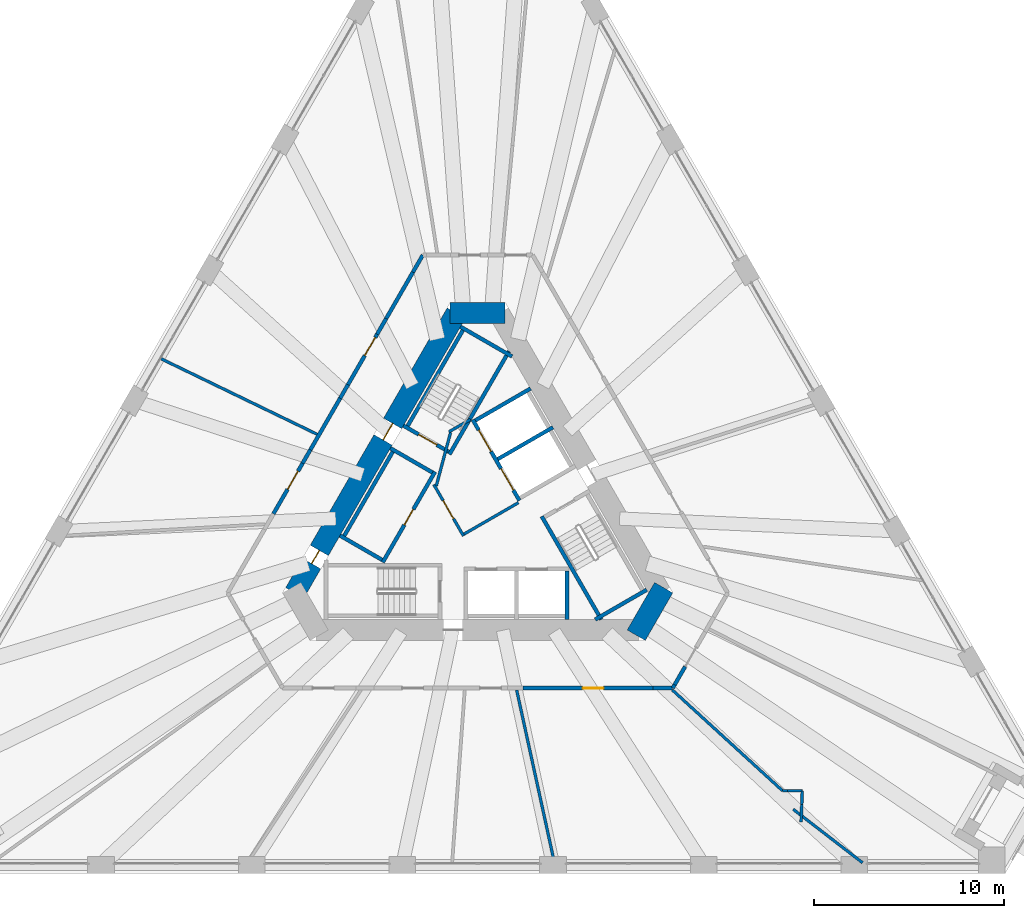
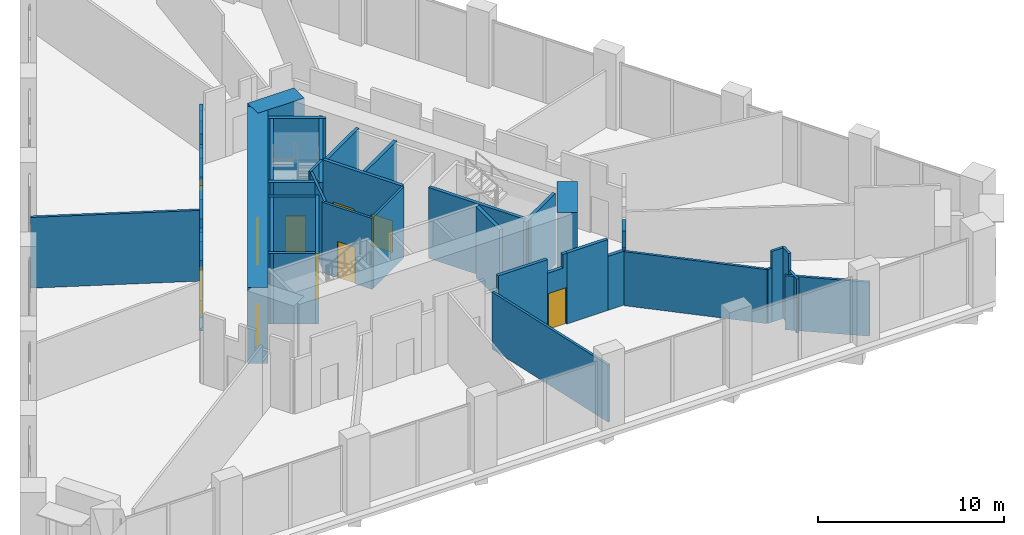
# One storey, part 14 of 20: 43 walls, 10 doors, 10 openings.
"""IFC4 building model written with IfcOpenShell, lengths in metres."""

from ifc_helpers import new_model, si_unit, direction, frame, frame_2d, origin, place, context, subcontext, project, spatial, polyline, rectangle, outline, extrude, material, layer, layer_set, type_object, element, fill, save


model = new_model("IFC4")

# Units and contexts
model_context = context("Model", 3, precision=1e-05, world=origin(), true_north=direction((0.0, 1.0)))
body_context = subcontext(model_context, "Body", "Model", "MODEL_VIEW")
ifc_project = project(units=[si_unit("LENGTHUNIT", "METRE"), si_unit("AREAUNIT", "SQUARE_METRE"), si_unit("VOLUMEUNIT", "CUBIC_METRE"), si_unit("PLANEANGLEUNIT", "RADIAN"), si_unit("MASSUNIT", "GRAM", prefix="KILO")], contexts=[model_context])

# Site, building, storey
site_placement = place(None, origin())
site = spatial("IfcSite", under=ifc_project, at=site_placement, CompositionType="ELEMENT")
building_placement = place(site_placement, origin())
building = spatial("IfcBuilding", under=site, at=building_placement, Name="Tramontana Tower", CompositionType="ELEMENT")
storey_placement = place(building_placement, frame((0.0, 0.0, 20.0)))
storey = spatial("IfcBuildingStorey", under=building, at=storey_placement, Name="L03", CompositionType="ELEMENT", Elevation=20.0)

# Wall
ifc_material_1 = material(Name="Concrete 70 MPa", Category="concrete")
ifc_layer_1 = layer(ifc_material_1, 1.10009765625)
ifc_layer_set_1 = layer_set([ifc_layer_1], Name="Core wall 1100 70 MPa")
wall_type_1 = type_object("IfcWallType", Name="Core wall 1100 70 MPa", PredefinedType="SHEAR", material=ifc_layer_set_1)
wall_1_placement = place(storey_placement, frame((1.443359375, 10.449951171875, 0.0), z_axis=(0.0, 0.0, 1.0), x_axis=(-1.0, 0.0, 0.0)))
element("IfcWall", 1, at=wall_1_placement, inside=storey, type_object=wall_type_1, Name="Core wall C0 L03", PredefinedType="SHEAR", context=body_context, shape_type="SweptSolid", body=[
    extrude(rectangle(XDim=2.88671875, YDim=1.10009765625, at=frame_2d((1.443359375, 0.0))), origin(), (0.0, 0.0, 1.0), 5.0),
])

# Wall, openings, doors
wall_2_placement = place(storey_placement, frame((-1.125732421875, 10.449951171875, 0.0), z_axis=(0.0, 0.0, 1.0), x_axis=(-0.500001757713, -0.866024388966, 0.0)))
wall_2 = element("IfcWall", 2, at=wall_2_placement, inside=storey, type_object=wall_type_1, Name="Core wall C1 L03", PredefinedType="SHEAR", context=body_context, shape_type="SweptSolid", body=[
    extrude(rectangle(XDim=16.97412109375, YDim=1.10009765625, at=frame_2d((8.487060546875, 0.0))), origin(), (0.0, 0.0, 1.0), 5.0),
])
opening_1_placement = place(wall_2_placement, frame((6.692138671875, 0.0, 0.0)))
opening_1 = element("IfcOpeningElement", 3, at=opening_1_placement, cuts=wall_2, Name="Opening RG1", PredefinedType="OPENING", context=body_context, shape_type="SweptSolid", body=[
    extrude(rectangle(XDim=1.0, YDim=2.39990234375, at=frame_2d((0.5, 1.199951171875))), frame((0.0, 0.56005859375, 0.0), z_axis=(0.0, -1.0, 0.0), x_axis=(1.0, 0.0, 0.0)), (0.0, 0.0, 1.0), 1.1201171875),
])
opening_2_placement = place(wall_2_placement, frame((14.397216796875, 0.0, 0.0)))
opening_2 = element("IfcOpeningElement", 4, at=opening_2_placement, cuts=wall_2, Name="Opening PD1", PredefinedType="OPENING", context=body_context, shape_type="SweptSolid", body=[
    extrude(rectangle(XDim=0.800048828125, YDim=2.10009765625, at=frame_2d((0.39990234375, 1.050048828125))), frame((0.0, 0.56005859375, 0.0), z_axis=(0.0, -1.0, 0.0), x_axis=(1.0, 0.0, 0.0)), (0.0, 0.0, 1.0), 1.1201171875),
])
ifc_material_2 = material(Name="Painted steel", Category="steel")
door_type_1 = type_object("IfcDoorType", Name="CUPBOARD DOOR 800", OperationType="SINGLE_SWING_LEFT", PredefinedType="DOOR", material=ifc_material_2)
door_1_placement = place(opening_2_placement, origin())
door_1 = element("IfcDoor", 5, at=door_1_placement, inside=storey, type_object=door_type_1, Name="Door PD1", OperationType="SINGLE_SWING_RIGHT", OverallHeight=2.10009765625, OverallWidth=0.800048828125, PredefinedType="DOOR", context=body_context, shape_type="SweptSolid", body=[
    extrude(rectangle(XDim=0.800048828125, YDim=2.10009765625, at=frame_2d((0.39990234375, 1.050048828125))), frame((0.0, 0.02490234375, 0.0), z_axis=(0.0, -1.0, 0.0), x_axis=(1.0, 0.0, 0.0)), (0.0, 0.0, 1.0), 0.050048828125),
])
fill(opening_2, door_1)
ifc_material_3 = material(Name="Painted steel", Category="steel")
door_type_2 = type_object("IfcDoorType", Name="RING DOOR 1000", OperationType="SINGLE_SWING_LEFT", PredefinedType="DOOR", material=ifc_material_3)
door_2_placement = place(opening_1_placement, origin())
door_2 = element("IfcDoor", 6, at=door_2_placement, inside=storey, type_object=door_type_2, Name="Door RG1", OperationType="SINGLE_SWING_LEFT", OverallHeight=2.39990234375, OverallWidth=1.0, PredefinedType="DOOR", context=body_context, shape_type="SweptSolid", body=[
    extrude(rectangle(XDim=1.0, YDim=2.39990234375, at=frame_2d((0.5, 1.199951171875))), frame((0.0, 0.02490234375, 0.0), z_axis=(0.0, -1.0, 0.0), x_axis=(1.0, 0.0, 0.0)), (0.0, 0.0, 1.0), 0.050048828125),
])
fill(opening_1, door_2)

# Walls
wall_3_placement = place(storey_placement, frame((8.328369140625, -6.47509765625, 0.0), z_axis=(0.0, 0.0, 1.0), x_axis=(0.499995765644, 0.866027848477, 0.0)))
element("IfcWall", 7, at=wall_3_placement, inside=storey, type_object=wall_type_1, Name="Core wall C4 L03", PredefinedType="SHEAR", context=body_context, shape_type="SweptSolid", body=[
    extrude(rectangle(XDim=2.88671875, YDim=1.10009765625, at=frame_2d((1.443359375, 0.0))), origin(), (0.0, 0.0, 1.0), 5.0),
])
ifc_material_4 = material(Name="Blockwork", Category="masonry")
ifc_layer_2 = layer(ifc_material_4, 0.199951171875)
ifc_layer_set_2 = layer_set([ifc_layer_2], Name="ENTRY WALL 200")
wall_type_2 = type_object("IfcWallType", Name="ENTRY WALL 200", PredefinedType="SOLIDWALL", material=ifc_layer_set_2)
wall_4_placement = place(storey_placement, frame((10.897216796875, -8.12548828125, 0.0), z_axis=(0.0, 0.0, 1.0), x_axis=(-0.499978356969, -0.866037899034, 0.0)))
element("IfcWall", 8, at=wall_4_placement, inside=storey, type_object=wall_type_2, Name="Wall ew1-5", PredefinedType="SOLIDWALL", context=body_context, shape_type="SweptSolid", body=[
    extrude(rectangle(XDim=1.10107421875, YDim=0.199951171875, at=frame_2d((0.550537109375, 0.0))), origin(), (0.0, 0.0, 1.0), 4.64990234375),
])
wall_5_placement = place(storey_placement, frame((10.3466796875, -9.0791015625, 0.0), z_axis=(0.0, 0.0, 1.0), x_axis=(-0.499865263774, -0.866103179807, 0.0)))
element("IfcWall", 9, at=wall_5_placement, inside=storey, type_object=wall_type_2, Name="Wall ew1-6", PredefinedType="SOLIDWALL", context=body_context, shape_type="SweptSolid", body=[
    extrude(rectangle(XDim=0.197265625, YDim=0.199951171875, at=frame_2d((0.0986328125, 0.0))), origin(), (0.0, 0.0, 1.0), 3.550048828125),
])
wall_6_placement = place(storey_placement, frame((10.248046875, -9.25, 0.0), z_axis=(0.0, 0.0, 1.0), x_axis=(-1.0, 0.0, 0.0)))
element("IfcWall", 10, at=wall_6_placement, inside=storey, type_object=wall_type_2, Name="Wall ew2-0", PredefinedType="SOLIDWALL", context=body_context, shape_type="SweptSolid", body=[
    extrude(rectangle(XDim=1.035400390625, YDim=0.199951171875, at=frame_2d((0.517578125, 0.0))), origin(), (0.0, 0.0, 1.0), 3.550048828125),
])
wall_7_placement = place(storey_placement, frame((9.212646484375, -9.25, 0.0), z_axis=(0.0, 0.0, 1.0), x_axis=(-1.0, 0.0, 0.0)))
element("IfcWall", 11, at=wall_7_placement, inside=storey, type_object=wall_type_2, Name="Wall ew2-1", PredefinedType="SOLIDWALL", context=body_context, shape_type="SweptSolid", body=[
    extrude(rectangle(XDim=2.546875, YDim=0.199951171875, at=frame_2d((1.2734375, 0.0))), origin(), (0.0, 0.0, 1.0), 4.64990234375),
])

# Wall, opening, door
wall_8_placement = place(storey_placement, frame((6.665771484375, -9.25, 0.0), z_axis=(0.0, 0.0, 1.0), x_axis=(-1.0, 0.0, 0.0)))
wall_8 = element("IfcWall", 12, at=wall_8_placement, inside=storey, type_object=wall_type_2, Name="Wall ew2-2", PredefinedType="SOLIDWALL", context=body_context, shape_type="SweptSolid", body=[
    extrude(outline(polyline([(0.0, 0.0), (1.21826171875, 0.0), (1.21826171875, 3.75), (0.268310546875, 3.75), (0.268310546875, 4.64990234375), (0.0, 4.64990234375), (0.0, 0.0)])), frame((0.0, 0.10009765625, 0.0), z_axis=(0.0, -1.0, 0.0), x_axis=(1.0, 0.0, 0.0)), (0.0, 0.0, 1.0), 0.199951171875),
])
opening_3_placement = place(wall_8_placement, frame((0.050048828125, 0.0, 0.0)))
opening_3 = element("IfcOpeningElement", 13, at=opening_3_placement, cuts=wall_8, Name="Opening L03-08", PredefinedType="OPENING", context=body_context, shape_type="SweptSolid", body=[
    extrude(rectangle(XDim=1.10009765625, YDim=2.39990234375, at=frame_2d((0.550048828125, 1.199951171875))), frame((0.0, 0.10986328125, 0.0), z_axis=(0.0, -1.0, 0.0), x_axis=(1.0, 0.0, 0.0)), (0.0, 0.0, 1.0), 0.219970703125),
])
ifc_material_5 = material(Name="Painted timber", Category="wood")
door_type_3 = type_object("IfcDoorType", Name="DOOR ENTRY 1100", OperationType="SINGLE_SWING_LEFT", PredefinedType="DOOR", material=ifc_material_5)
door_3_placement = place(opening_3_placement, origin())
door_3 = element("IfcDoor", 14, at=door_3_placement, inside=storey, type_object=door_type_3, Name="Door L03-08", OperationType="SINGLE_SWING_RIGHT", OverallHeight=2.39990234375, OverallWidth=1.10009765625, PredefinedType="DOOR", context=body_context, shape_type="SweptSolid", body=[
    extrude(rectangle(XDim=1.10009765625, YDim=2.39990234375, at=frame_2d((0.550048828125, 1.199951171875))), frame((0.0, 0.02490234375, 0.0), z_axis=(0.0, -1.0, 0.0), x_axis=(1.0, 0.0, 0.0)), (0.0, 0.0, 1.0), 0.050048828125),
])
fill(opening_3, door_3)

# Wall
wall_9_placement = place(storey_placement, frame((5.447509765625, -9.25, 0.0), z_axis=(0.0, 0.0, 1.0), x_axis=(-1.0, 0.0, 0.0)))
element("IfcWall", 15, at=wall_9_placement, inside=storey, type_object=wall_type_2, Name="Wall ew2-3", PredefinedType="SOLIDWALL", context=body_context, shape_type="SweptSolid", body=[
    extrude(rectangle(XDim=3.064453125, YDim=0.199951171875, at=frame_2d((1.5322265625, 0.0))), origin(), (0.0, 0.0, 1.0), 4.64990234375),
])

# Wall, opening, door
wall_10_placement = place(storey_placement, frame((-10.734375, -0.0927734375, 0.0), z_axis=(0.0, 0.0, 1.0), x_axis=(0.499952348839, 0.866052913447, 0.0)))
wall_10 = element("IfcWall", 16, at=wall_10_placement, inside=storey, type_object=wall_type_2, Name="Wall ew4-3", PredefinedType="SOLIDWALL", context=body_context, shape_type="SweptSolid", body=[
    extrude(rectangle(XDim=3.064208984375, YDim=0.199951171875, at=frame_2d((1.5322265625, 0.0))), origin(), (0.0, 0.0, 1.0), 4.64990234375),
])
opening_4_placement = place(wall_10_placement, frame((1.489013671875, 0.0, 0.0)))
opening_4 = element("IfcOpeningElement", 17, at=opening_4_placement, cuts=wall_10, Name="Opening L03-03", PredefinedType="OPENING", context=body_context, shape_type="SweptSolid", body=[
    extrude(rectangle(XDim=1.10009765625, YDim=2.39990234375, at=frame_2d((0.550048828125, 1.199951171875))), frame((0.0, 0.10986328125, 0.0), z_axis=(0.0, -1.0, 0.0), x_axis=(1.0, 0.0, 0.0)), (0.0, 0.0, 1.0), 0.219970703125),
])
door_4_placement = place(opening_4_placement, origin())
door_4 = element("IfcDoor", 18, at=door_4_placement, inside=storey, type_object=door_type_3, Name="Door L03-03", OperationType="SINGLE_SWING_LEFT", OverallHeight=2.39990234375, OverallWidth=1.10009765625, PredefinedType="DOOR", context=body_context, shape_type="SweptSolid", body=[
    extrude(rectangle(XDim=1.10009765625, YDim=2.39990234375, at=frame_2d((0.550048828125, 1.199951171875))), frame((0.0, 0.02490234375, 0.0), z_axis=(0.0, -1.0, 0.0), x_axis=(1.0, 0.0, 0.0)), (0.0, 0.0, 1.0), 0.050048828125),
])
fill(opening_4, door_4)

# Walls
wall_11_placement = place(storey_placement, frame((-9.202392578125, 2.56103515625, 0.0), z_axis=(0.0, 0.0, 1.0), x_axis=(0.500118501653, 0.865956976012, 0.0)))
element("IfcWall", 19, at=wall_11_placement, inside=storey, type_object=wall_type_2, Name="Wall ew4-4", PredefinedType="SOLIDWALL", context=body_context, shape_type="SweptSolid", body=[
    extrude(rectangle(XDim=0.818115234375, YDim=0.199951171875, at=frame_2d((0.4091796875, 0.0))), origin(), (0.0, 0.0, 1.0), 3.75),
])
wall_12_placement = place(storey_placement, frame((-8.793212890625, 3.26953125, 0.0), z_axis=(0.0, 0.0, 1.0), x_axis=(0.499947505232, 0.866055709532, 0.0)))
element("IfcWall", 20, at=wall_12_placement, inside=storey, type_object=wall_type_2, Name="Wall ew4-5", PredefinedType="SOLIDWALL", context=body_context, shape_type="SweptSolid", body=[
    extrude(rectangle(XDim=3.130126953125, YDim=0.199951171875, at=frame_2d((1.56494140625, 0.0))), origin(), (0.0, 0.0, 1.0), 4.64990234375),
])
wall_13_placement = place(storey_placement, frame((-7.228271484375, 5.98046875, 0.0), z_axis=(0.0, 0.0, 1.0), x_axis=(0.500118501653, 0.865956976012, 0.0)))
element("IfcWall", 21, at=wall_13_placement, inside=storey, type_object=wall_type_2, Name="Wall ew4-6", PredefinedType="SOLIDWALL", context=body_context, shape_type="SweptSolid", body=[
    extrude(rectangle(XDim=0.818115234375, YDim=0.199951171875, at=frame_2d((0.4091796875, 0.0))), origin(), (0.0, 0.0, 1.0), 3.75),
])

# Wall, opening, door
wall_14_placement = place(storey_placement, frame((-6.819091796875, 6.68896484375, 0.0), z_axis=(0.0, 0.0, 1.0), x_axis=(0.499952348839, 0.866052913447, 0.0)))
wall_14 = element("IfcWall", 22, at=wall_14_placement, inside=storey, type_object=wall_type_2, Name="Wall ew4-7", PredefinedType="SOLIDWALL", context=body_context, shape_type="SweptSolid", body=[
    extrude(rectangle(XDim=3.064208984375, YDim=0.199951171875, at=frame_2d((1.5322265625, 0.0))), origin(), (0.0, 0.0, 1.0), 4.64990234375),
])
opening_5_placement = place(wall_14_placement, frame((1.76904296875, 0.0, 0.0)))
opening_5 = element("IfcOpeningElement", 23, at=opening_5_placement, cuts=wall_14, Name="Opening L03-02", PredefinedType="OPENING", context=body_context, shape_type="SweptSolid", body=[
    extrude(rectangle(XDim=1.10009765625, YDim=2.39990234375, at=frame_2d((0.550048828125, 1.199951171875))), frame((0.0, 0.10986328125, 0.0), z_axis=(0.0, -1.0, 0.0), x_axis=(1.0, 0.0, 0.0)), (0.0, 0.0, 1.0), 0.219970703125),
])
door_5_placement = place(opening_5_placement, origin())
door_5 = element("IfcDoor", 24, at=door_5_placement, inside=storey, type_object=door_type_3, Name="Door L03-02", OperationType="SINGLE_SWING_RIGHT", OverallHeight=2.39990234375, OverallWidth=1.10009765625, PredefinedType="DOOR", context=body_context, shape_type="SweptSolid", body=[
    extrude(rectangle(XDim=1.10009765625, YDim=2.39990234375, at=frame_2d((0.550048828125, 1.199951171875))), frame((0.0, 0.02490234375, 0.0), z_axis=(0.0, -1.0, 0.0), x_axis=(1.0, 0.0, 0.0)), (0.0, 0.0, 1.0), 0.050048828125),
])
fill(opening_5, door_5)

# Walls
wall_15_placement = place(storey_placement, frame((-5.287109375, 9.3427734375, 0.0), z_axis=(0.0, 0.0, 1.0), x_axis=(0.500174821557, 0.865924446982, 0.0)))
element("IfcWall", 25, at=wall_15_placement, inside=storey, type_object=wall_type_2, Name="Wall ew4-8", PredefinedType="SOLIDWALL", context=body_context, shape_type="SweptSolid", body=[
    extrude(rectangle(XDim=0.949951171875, YDim=0.199951171875, at=frame_2d((0.47509765625, 0.0))), origin(), (0.0, 0.0, 1.0), 3.75),
])
wall_16_placement = place(storey_placement, frame((-4.81201171875, 10.165283203125, 0.0), z_axis=(0.0, 0.0, 1.0), x_axis=(0.500000186108, 0.866025296335, 0.0)))
element("IfcWall", 26, at=wall_16_placement, inside=storey, type_object=wall_type_2, Name="Wall ew4-9", PredefinedType="SOLIDWALL", context=body_context, shape_type="SweptSolid", body=[
    extrude(rectangle(XDim=2.8154296875, YDim=0.199951171875, at=frame_2d((1.40771484375, 0.0))), origin(), (0.0, 0.0, 1.0), 4.64990234375),
])
wall_17_placement = place(storey_placement, frame((-3.404296875, 12.603515625, 0.0), z_axis=(0.0, 0.0, 1.0), x_axis=(0.499994660107, 0.866028486751, 0.0)))
element("IfcWall", 27, at=wall_17_placement, inside=storey, type_object=wall_type_2, Name="Wall ew4-10", PredefinedType="SOLIDWALL", context=body_context, shape_type="SweptSolid", body=[
    extrude(rectangle(XDim=1.03515625, YDim=0.199951171875, at=frame_2d((0.517578125, 0.0))), origin(), (0.0, 0.0, 1.0), 3.550048828125),
])

# Wall, opening, door
ifc_material_6 = material(Name="Gypsum board partition")
ifc_layer_3 = layer(ifc_material_6, 0.14990234375)
ifc_layer_set_3 = layer_set([ifc_layer_3], Name="PARTITION 150")
wall_type_3 = type_object("IfcWallType", Name="PARTITION 150", PredefinedType="PARTITIONING", material=ifc_layer_set_3)
wall_18_placement = place(storey_placement, frame((-0.744140625, -1.260986328125, 0.0), z_axis=(0.0, 0.0, 1.0), x_axis=(-0.500004234368, 0.866022959057, 0.0)))
wall_18 = element("IfcWall", 28, at=wall_18_placement, inside=storey, type_object=wall_type_3, Name="Wall ff-front", PredefinedType="PARTITIONING", context=body_context, shape_type="SweptSolid", body=[
    extrude(rectangle(XDim=3.125, YDim=0.14990234375, at=frame_2d((1.5625, 0.0))), origin(), (0.0, 0.0, 1.0), 4.64990234375),
])
opening_6_placement = place(wall_18_placement, frame((1.050048828125, 0.0, 0.0)))
opening_6 = element("IfcOpeningElement", 29, at=opening_6_placement, cuts=wall_18, Name="Opening FD1", PredefinedType="OPENING", context=body_context, shape_type="SweptSolid", body=[
    extrude(rectangle(XDim=1.10009765625, YDim=2.39990234375, at=frame_2d((0.550048828125, 1.199951171875))), frame((0.0, 0.0849609375, 0.0), z_axis=(0.0, -1.0, 0.0), x_axis=(1.0, 0.0, 0.0)), (0.0, 0.0, 1.0), 0.169921875),
])
door_6_placement = place(opening_6_placement, origin())
door_6 = element("IfcDoor", 30, at=door_6_placement, inside=storey, type_object=door_type_3, Name="Door FD1", OperationType="SINGLE_SWING_RIGHT", OverallHeight=2.39990234375, OverallWidth=1.10009765625, PredefinedType="DOOR", context=body_context, shape_type="SweptSolid", body=[
    extrude(rectangle(XDim=1.10009765625, YDim=2.39990234375, at=frame_2d((0.550048828125, 1.199951171875))), frame((0.0, 0.02490234375, 0.0), z_axis=(0.0, -1.0, 0.0), x_axis=(1.0, 0.0, 0.0)), (0.0, 0.0, 1.0), 0.050048828125),
])
fill(opening_6, door_6)

# Walls
wall_19_placement = place(storey_placement, frame((-0.716796875, -1.15869140625, 0.0), z_axis=(0.0, 0.0, 1.0), x_axis=(0.866008176907, 0.50002983664, 0.0)))
element("IfcWall", 31, at=wall_19_placement, inside=storey, type_object=wall_type_3, Name="Wall ff-end0", PredefinedType="PARTITIONING", context=body_context, shape_type="SweptSolid", body=[
    extrude(rectangle(XDim=3.300048828125, YDim=0.14990234375, at=frame_2d((1.64990234375, 0.0))), origin(), (0.0, 0.0, 1.0), 4.64990234375),
])
wall_20_placement = place(storey_placement, frame((-2.177978515625, 1.372314453125, 0.0), z_axis=(0.0, 0.0, 1.0), x_axis=(0.258808958833, 0.96592852884, 0.0)))
element("IfcWall", 32, at=wall_20_placement, inside=storey, type_object=wall_type_3, Name="Wall ff-diag", PredefinedType="PARTITIONING", context=body_context, shape_type="SweptSolid", body=[
    extrude(rectangle(XDim=2.902587890625, YDim=0.14990234375, at=frame_2d((1.451171875, 0.0))), origin(), (0.0, 0.0, 1.0), 4.64990234375),
])
wall_21_placement = place(storey_placement, frame((-1.509765625, 4.21484375, 0.0), z_axis=(0.0, 0.0, 1.0), x_axis=(0.866085525409, 0.49989585183, 0.0)))
element("IfcWall", 33, at=wall_21_placement, inside=storey, type_object=wall_type_3, Name="Wall ff-end1", PredefinedType="PARTITIONING", context=body_context, shape_type="SweptSolid", body=[
    extrude(rectangle(XDim=1.300048828125, YDim=0.14990234375, at=frame_2d((0.64990234375, 0.0))), origin(), (0.0, 0.0, 1.0), 4.64990234375),
])
wall_22_placement = place(storey_placement, frame((-8.438232421875, 4.084716796875, 0.0), z_axis=(0.0, 0.0, 1.0), x_axis=(-0.900092423944, 0.435699011197, 0.0)))
element("IfcWall", 34, at=wall_22_placement, inside=storey, type_object=wall_type_3, Name="Wall fw-pw02", PredefinedType="PARTITIONING", context=body_context, shape_type="SweptSolid", body=[
    extrude(rectangle(XDim=9.10400390625, YDim=0.14990234375, at=frame_2d((4.552001953125, 0.0))), origin(), (0.0, 0.0, 1.0), 4.64990234375),
])
wall_23_placement = place(storey_placement, frame((2.045166015625, -9.35009765625, 0.0), z_axis=(0.0, 0.0, 1.0), x_axis=(0.213683561591, -0.976902930442, 0.0)))
element("IfcWall", 35, at=wall_23_placement, inside=storey, type_object=wall_type_3, Name="Wall fw-pw06-0", PredefinedType="PARTITIONING", context=body_context, shape_type="SweptSolid", body=[
    extrude(rectangle(XDim=9.29443359375, YDim=0.14990234375, at=frame_2d((4.647216796875, 0.0))), origin(), (0.0, 0.0, 1.0), 3.75),
])
wall_24_placement = place(storey_placement, frame((10.2255859375, -9.35009765625, 0.0), z_axis=(0.0, 0.0, 1.0), x_axis=(0.738001386372, -0.674799195104, 0.0)))
element("IfcWall", 36, at=wall_24_placement, inside=storey, type_object=wall_type_3, Name="Wall fw-pw10-0", PredefinedType="PARTITIONING", context=body_context, shape_type="SweptSolid", body=[
    extrude(rectangle(XDim=7.853271484375, YDim=0.14990234375, at=frame_2d((3.9267578125, 0.0))), origin(), (0.0, 0.0, 1.0), 3.550048828125),
])
wall_25_placement = place(storey_placement, frame((16.022705078125, -14.64990234375, 0.0), z_axis=(0.0, 0.0, 1.0), x_axis=(1.0, 0.0, 0.0)))
element("IfcWall", 37, at=wall_25_placement, inside=storey, type_object=wall_type_3, Name="Wall fw-pw13-0", PredefinedType="PARTITIONING", context=body_context, shape_type="SweptSolid", body=[
    extrude(rectangle(XDim=0.250244140625, YDim=0.14990234375, at=frame_2d((0.125, 0.0))), origin(), (0.0, 0.0, 1.0), 3.550048828125),
])
wall_26_placement = place(storey_placement, frame((16.27294921875, -14.64990234375, 0.0), z_axis=(0.0, 0.0, 1.0), x_axis=(1.0, 0.0, 0.0)))
element("IfcWall", 38, at=wall_26_placement, inside=storey, type_object=wall_type_3, Name="Wall fw-pw13-1", PredefinedType="PARTITIONING", context=body_context, shape_type="SweptSolid", body=[
    extrude(rectangle(XDim=0.782470703125, YDim=0.14990234375, at=frame_2d((0.39111328125, 0.0))), origin(), (0.0, 0.0, 1.0), 4.64990234375),
])
wall_27_placement = place(storey_placement, frame((16.577392578125, -15.6201171875, 0.0), z_axis=(0.0, 0.0, 1.0), x_axis=(0.79203798149, -0.610471814155, 0.0)))
element("IfcWall", 39, at=wall_27_placement, inside=storey, type_object=wall_type_3, Name="Wall fw-pw14-0", PredefinedType="PARTITIONING", context=body_context, shape_type="SweptSolid", body=[
    extrude(rectangle(XDim=4.602783203125, YDim=0.14990234375, at=frame_2d((2.30126953125, 0.0))), origin(), (0.0, 0.0, 1.0), 3.550048828125),
])
wall_28_placement = place(storey_placement, frame((17.0556640625, -14.650146484375, 0.0), z_axis=(0.0, 0.0, 1.0), x_axis=(-0.038605211655, -0.999254540962, 0.0)))
element("IfcWall", 40, at=wall_28_placement, inside=storey, type_object=wall_type_3, Name="Wall fw-pw15-0", PredefinedType="PARTITIONING", context=body_context, shape_type="SweptSolid", body=[
    extrude(rectangle(XDim=0.708251953125, YDim=0.14990234375, at=frame_2d((0.35400390625, 0.0))), origin(), (0.0, 0.0, 1.0), 4.64990234375),
])
wall_29_placement = place(storey_placement, frame((17.0283203125, -15.35791015625, 0.0), z_axis=(0.0, 0.0, 1.0), x_axis=(-0.038361998043, -0.999263907637, 0.0)))
element("IfcWall", 41, at=wall_29_placement, inside=storey, type_object=wall_type_3, Name="Wall fw-pw15-1", PredefinedType="PARTITIONING", context=body_context, shape_type="SweptSolid", body=[
    extrude(rectangle(XDim=0.9228515625, YDim=0.14990234375, at=frame_2d((0.46142578125, 0.0))), origin(), (0.0, 0.0, 1.0), 3.550048828125),
])
ifc_material_7 = material(Name="Concrete 70 MPa", Category="concrete")
ifc_layer_4 = layer(ifc_material_7, 0.199951171875)
ifc_layer_set_4 = layer_set([ifc_layer_4], Name="Concrete 70 MPa, 200 mm")
wall_type_4 = type_object("IfcWallType", Name="RC SHAFT BACK WALL 200", PredefinedType="SOLIDWALL", material=ifc_layer_set_4)
wall_30_placement = place(storey_placement, frame((-0.679931640625, 9.722412109375, 0.0), z_axis=(0.0, 0.0, 1.0), x_axis=(-0.49998037582, -0.866036733513, 0.0)))
element("IfcWall", 42, at=wall_30_placement, inside=storey, type_object=wall_type_4, Name="Wall st1-back", PredefinedType="SOLIDWALL", context=body_context, shape_type="SweptSolid", body=[
    extrude(rectangle(XDim=6.199951171875, YDim=0.199951171875, at=frame_2d((3.10009765625, 0.0))), origin(), (0.0, 0.0, 1.0), 4.64990234375),
])
wall_31_placement = place(storey_placement, frame((-4.36474609375, 3.33984375, 0.0), z_axis=(0.0, 0.0, 1.0), x_axis=(-0.499996545922, -0.866027397988, 0.0)))
element("IfcWall", 43, at=wall_31_placement, inside=storey, type_object=wall_type_4, Name="Wall row0-back", PredefinedType="SOLIDWALL", context=body_context, shape_type="SweptSolid", body=[
    extrude(rectangle(XDim=5.5, YDim=0.199951171875, at=frame_2d((2.75, 0.0))), origin(), (0.0, 0.0, 1.0), 4.64990234375),
])
ifc_material_8 = material(Name="Concrete 70 MPa", Category="concrete")
ifc_layer_5 = layer(ifc_material_8, 0.199951171875)
ifc_layer_set_5 = layer_set([ifc_layer_5], Name="Concrete 70 MPa, 200 mm")
wall_type_5 = type_object("IfcWallType", Name="RC STAIR AND SHAFT WALL 200", PredefinedType="SOLIDWALL", material=ifc_layer_set_5)
wall_32_placement = place(storey_placement, frame((1.6455078125, 8.449951171875, 0.0), z_axis=(0.0, 0.0, 1.0), x_axis=(-0.500006002103, -0.866021938441, 0.0)))
element("IfcWall", 44, at=wall_32_placement, inside=storey, type_object=wall_type_5, Name="Wall st1-front", PredefinedType="SOLIDWALL", context=body_context, shape_type="SweptSolid", body=[
    extrude(rectangle(XDim=6.2607421875, YDim=0.199951171875, at=frame_2d((3.13037109375, 0.0))), origin(), (0.0, 0.0, 1.0), 4.64990234375),
])
wall_33_placement = place(storey_placement, frame((1.80615234375, 8.171875, 0.0), z_axis=(0.0, 0.0, 1.0), x_axis=(-0.866054327916, 0.499949898588, 0.0)))
element("IfcWall", 45, at=wall_33_placement, inside=storey, type_object=wall_type_5, Name="Wall st1-far", PredefinedType="SOLIDWALL", context=body_context, shape_type="SweptSolid", body=[
    extrude(rectangle(XDim=3.128173828125, YDim=0.199951171875, at=frame_2d((1.56396484375, 0.0))), origin(), (0.0, 0.0, 1.0), 4.64990234375),
])

# Wall, opening, door
wall_34_placement = place(storey_placement, frame((-1.521484375, 3.164794921875, 0.0), z_axis=(0.0, 0.0, 1.0), x_axis=(-0.866027397988, 0.499996545922, 0.0)))
wall_34 = element("IfcWall", 46, at=wall_34_placement, inside=storey, type_object=wall_type_5, Name="Wall st1-near", PredefinedType="SOLIDWALL", context=body_context, shape_type="SweptSolid", body=[
    extrude(rectangle(XDim=2.75, YDim=0.199951171875, at=frame_2d((1.375, 0.0))), origin(), (0.0, 0.0, 1.0), 4.64990234375),
])
opening_7_placement = place(wall_34_placement, frame((0.72509765625, 0.0, 0.0)))
opening_7 = element("IfcOpeningElement", 47, at=opening_7_placement, cuts=wall_34, Name="Opening SD1", PredefinedType="OPENING", context=body_context, shape_type="SweptSolid", body=[
    extrude(rectangle(XDim=1.10009765625, YDim=2.39990234375, at=frame_2d((0.550048828125, 1.199951171875))), frame((0.0, 0.10986328125, 0.0), z_axis=(0.0, -1.0, 0.0), x_axis=(1.0, 0.0, 0.0)), (0.0, 0.0, 1.0), 0.219970703125),
])
ifc_material_9 = material(Name="Painted steel", Category="steel")
door_type_4 = type_object("IfcDoorType", Name="STAIR DOOR 1100", OperationType="SINGLE_SWING_LEFT", PredefinedType="DOOR", material=ifc_material_9)
door_7_placement = place(opening_7_placement, origin())
door_7 = element("IfcDoor", 48, at=door_7_placement, inside=storey, type_object=door_type_4, Name="Door SD1", OperationType="SINGLE_SWING_RIGHT", OverallHeight=2.39990234375, OverallWidth=1.10009765625, PredefinedType="DOOR", context=body_context, shape_type="SweptSolid", body=[
    extrude(rectangle(XDim=1.10009765625, YDim=2.39990234375, at=frame_2d((0.550048828125, 1.199951171875))), frame((0.0, 0.02490234375, 0.0), z_axis=(0.0, -1.0, 0.0), x_axis=(1.0, 0.0, 0.0)), (0.0, 0.0, 1.0), 0.050048828125),
])
fill(opening_7, door_7)

# Walls
wall_35_placement = place(storey_placement, frame((6.4951171875, -5.64990234375, 0.0), z_axis=(0.0, 0.0, 1.0), x_axis=(-0.499976754523, 0.866038824151, 0.0)))
element("IfcWall", 49, at=wall_35_placement, inside=storey, type_object=wall_type_5, Name="Wall st3-front", PredefinedType="SOLIDWALL", context=body_context, shape_type="SweptSolid", body=[
    extrude(rectangle(XDim=6.260498046875, YDim=0.199951171875, at=frame_2d((3.13037109375, 0.0))), origin(), (0.0, 0.0, 1.0), 4.64990234375),
])
wall_36_placement = place(storey_placement, frame((6.173828125, -5.64990234375, 0.0), z_axis=(0.0, 0.0, 1.0), x_axis=(0.866054327916, 0.499949898588, 0.0)))
element("IfcWall", 50, at=wall_36_placement, inside=storey, type_object=wall_type_5, Name="Wall st3-far", PredefinedType="SOLIDWALL", context=body_context, shape_type="SweptSolid", body=[
    extrude(rectangle(XDim=3.128173828125, YDim=0.199951171875, at=frame_2d((1.56396484375, 0.0))), origin(), (0.0, 0.0, 1.0), 4.64990234375),
])

# Wall, opening, door
wall_37_placement = place(storey_placement, frame((-4.9931640625, -2.648193359375, 0.0), z_axis=(0.0, 0.0, 1.0), x_axis=(0.499996545922, 0.866027397988, 0.0)))
wall_37 = element("IfcWall", 51, at=wall_37_placement, inside=storey, type_object=wall_type_5, Name="Wall row0-front", PredefinedType="SOLIDWALL", context=body_context, shape_type="SweptSolid", body=[
    extrude(rectangle(XDim=5.5, YDim=0.199951171875, at=frame_2d((2.75, 0.0))), origin(), (0.0, 0.0, 1.0), 4.64990234375),
])
opening_8_placement = place(wall_37_placement, frame((2.27490234375, 0.0, 0.0)))
opening_8 = element("IfcOpeningElement", 52, at=opening_8_placement, cuts=wall_37, Name="Opening RD-0", PredefinedType="OPENING", context=body_context, shape_type="SweptSolid", body=[
    extrude(rectangle(XDim=0.949951171875, YDim=2.39990234375, at=frame_2d((0.47509765625, 1.199951171875))), frame((0.0, 0.10986328125, 0.0), z_axis=(0.0, -1.0, 0.0), x_axis=(1.0, 0.0, 0.0)), (0.0, 0.0, 1.0), 0.219970703125),
])
ifc_material_10 = material(Name="Painted timber", Category="wood")
door_type_5 = type_object("IfcDoorType", Name="DOOR ROOM 950", OperationType="SINGLE_SWING_LEFT", PredefinedType="DOOR", material=ifc_material_10)
door_8_placement = place(opening_8_placement, origin())
door_8 = element("IfcDoor", 53, at=door_8_placement, inside=storey, type_object=door_type_5, Name="Door RD-0", OperationType="SINGLE_SWING_LEFT", OverallHeight=2.39990234375, OverallWidth=0.949951171875, PredefinedType="DOOR", context=body_context, shape_type="SweptSolid", body=[
    extrude(rectangle(XDim=0.949951171875, YDim=2.39990234375, at=frame_2d((0.47509765625, 1.199951171875))), frame((0.0, 0.02490234375, 0.0), z_axis=(0.0, -1.0, 0.0), x_axis=(1.0, 0.0, 0.0)), (0.0, 0.0, 1.0), 0.050048828125),
])
fill(opening_8, door_8)

# Walls
for number, where, z_axis, x_axis, name in (
    (54, (-2.379638671875, 2.078369140625, 0.0), (0.0, 0.0, 1.0), (-0.866054858364, 0.499948979701, 0.0), "Wall row0-side0"),
    (55, (-5.02978515625, -2.51171875, 0.0), (0.0, 0.0, 1.0), (-0.865989465428, 0.500062241894, 0.0), "Wall row0-side2"),
):
    element("IfcWall", number, at=place(storey_placement, frame(where, z_axis=z_axis, x_axis=x_axis)), inside=storey, type_object=wall_type_5, Name=name, PredefinedType="SOLIDWALL", context=body_context, shape_type="SweptSolid", body=[
        extrude(rectangle(XDim=2.550048828125, YDim=0.199951171875, at=frame_2d((1.27490234375, 0.0))), origin(), (0.0, 0.0, 1.0), 4.64990234375),
    ])
wall_38_placement = place(storey_placement, frame((4.68994140625, -3.10009765625, 0.0), z_axis=(0.0, 0.0, 1.0), x_axis=(0.0, -1.0, 0.0)))
element("IfcWall", 56, at=wall_38_placement, inside=storey, type_object=wall_type_5, Name="Wall row1-side2", PredefinedType="SOLIDWALL", context=body_context, shape_type="SweptSolid", body=[
    extrude(rectangle(XDim=2.5498046875, YDim=0.199951171875, at=frame_2d((1.27490234375, 0.0))), origin(), (0.0, 0.0, 1.0), 4.64990234375),
])

# Wall, openings, doors
wall_39_placement = place(storey_placement, frame((2.190185546875, 0.6064453125, 0.0), z_axis=(0.0, 0.0, 1.0), x_axis=(-0.500002801628, 0.866023786258, 0.0)))
wall_39 = element("IfcWall", 57, at=wall_39_placement, inside=storey, type_object=wall_type_5, Name="Wall row2-front", PredefinedType="SOLIDWALL", context=body_context, shape_type="SweptSolid", body=[
    extrude(rectangle(XDim=4.89990234375, YDim=0.199951171875, at=frame_2d((2.449951171875, 0.0))), origin(), (0.0, 0.0, 1.0), 4.64990234375),
])
opening_9_placement = place(wall_39_placement, frame((0.625, 0.0, 0.0)))
opening_9 = element("IfcOpeningElement", 58, at=opening_9_placement, cuts=wall_39, Name="Opening LD-F1", PredefinedType="OPENING", context=body_context, shape_type="SweptSolid", body=[
    extrude(rectangle(XDim=1.300048828125, YDim=2.10009765625, at=frame_2d((0.64990234375, 1.050048828125))), frame((0.0, 0.10986328125, 0.0), z_axis=(0.0, -1.0, 0.0), x_axis=(1.0, 0.0, 0.0)), (0.0, 0.0, 1.0), 0.219970703125),
])
opening_10_placement = place(wall_39_placement, frame((2.97509765625, 0.0, 0.0)))
opening_10 = element("IfcOpeningElement", 59, at=opening_10_placement, cuts=wall_39, Name="Opening LD-F2", PredefinedType="OPENING", context=body_context, shape_type="SweptSolid", body=[
    extrude(rectangle(XDim=1.300048828125, YDim=2.10009765625, at=frame_2d((0.64990234375, 1.050048828125))), frame((0.0, 0.10986328125, 0.0), z_axis=(0.0, -1.0, 0.0), x_axis=(1.0, 0.0, 0.0)), (0.0, 0.0, 1.0), 0.219970703125),
])
ifc_material_11 = material(Name="Brushed steel", Category="steel")
door_type_6 = type_object("IfcDoorType", Name="LANDING DOOR 1300", OperationType="SINGLE_SWING_LEFT", PredefinedType="DOOR", material=ifc_material_11)
door_9_placement = place(opening_9_placement, origin())
door_9 = element("IfcDoor", 60, at=door_9_placement, inside=storey, type_object=door_type_6, Name="Door LD-F1", OperationType="SLIDING_TO_RIGHT", OverallHeight=2.10009765625, OverallWidth=1.300048828125, PredefinedType="DOOR", context=body_context, shape_type="SweptSolid", body=[
    extrude(rectangle(XDim=1.300048828125, YDim=2.10009765625, at=frame_2d((0.64990234375, 1.050048828125))), frame((0.0, 0.02490234375, 0.0), z_axis=(0.0, -1.0, 0.0), x_axis=(1.0, 0.0, 0.0)), (0.0, 0.0, 1.0), 0.050048828125),
])
fill(opening_9, door_9)
door_10_placement = place(opening_10_placement, origin())
door_10 = element("IfcDoor", 61, at=door_10_placement, inside=storey, type_object=door_type_6, Name="Door LD-F2", OperationType="SLIDING_TO_LEFT", OverallHeight=2.10009765625, OverallWidth=1.300048828125, PredefinedType="DOOR", context=body_context, shape_type="SweptSolid", body=[
    extrude(rectangle(XDim=1.300048828125, YDim=2.10009765625, at=frame_2d((0.64990234375, 1.050048828125))), frame((0.0, 0.02490234375, 0.0), z_axis=(0.0, -1.0, 0.0), x_axis=(1.0, 0.0, 0.0)), (0.0, 0.0, 1.0), 0.050048828125),
])
fill(opening_10, door_10)

# Walls
wall_40_placement = place(storey_placement, frame((1.0517578125, 2.778076171875, 0.0), z_axis=(0.0, 0.0, 1.0), x_axis=(0.866032680314, 0.499987396469, 0.0)))
element("IfcWall", 62, at=wall_40_placement, inside=storey, type_object=wall_type_5, Name="Wall row2-side1", PredefinedType="SOLIDWALL", context=body_context, shape_type="SweptSolid", body=[
    extrude(rectangle(XDim=3.35009765625, YDim=0.199951171875, at=frame_2d((1.675048828125, 0.0))), origin(), (0.0, 0.0, 1.0), 4.64990234375),
])
wall_41_placement = place(storey_placement, frame((-0.123046875, 4.813232421875, 0.0), z_axis=(0.0, 0.0, 1.0), x_axis=(0.866014461049, 0.500018952895, 0.0)))
element("IfcWall", 63, at=wall_41_placement, inside=storey, type_object=wall_type_5, Name="Wall row2-side2", PredefinedType="SOLIDWALL", context=body_context, shape_type="SweptSolid", body=[
    extrude(rectangle(XDim=3.349853515625, YDim=0.199951171875, at=frame_2d((1.6748046875, 0.0))), origin(), (0.0, 0.0, 1.0), 4.64990234375),
])

save(model, "model.ifc")
